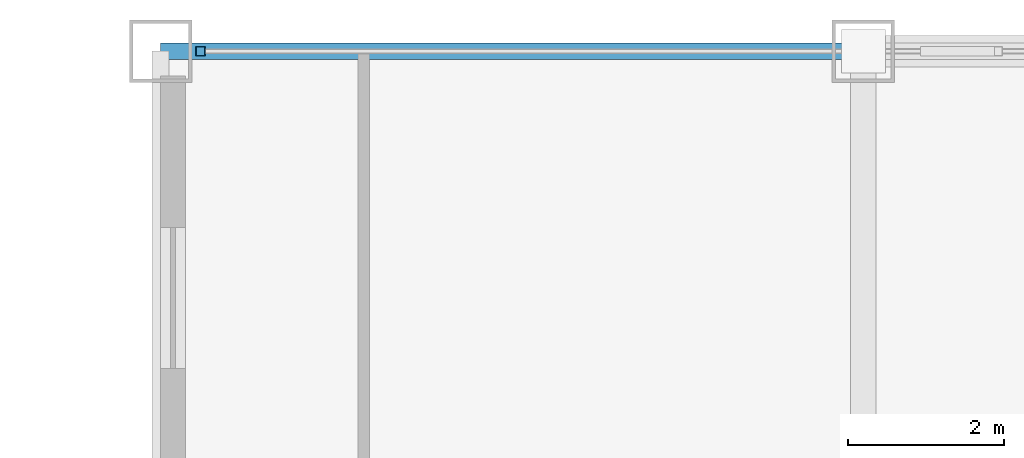
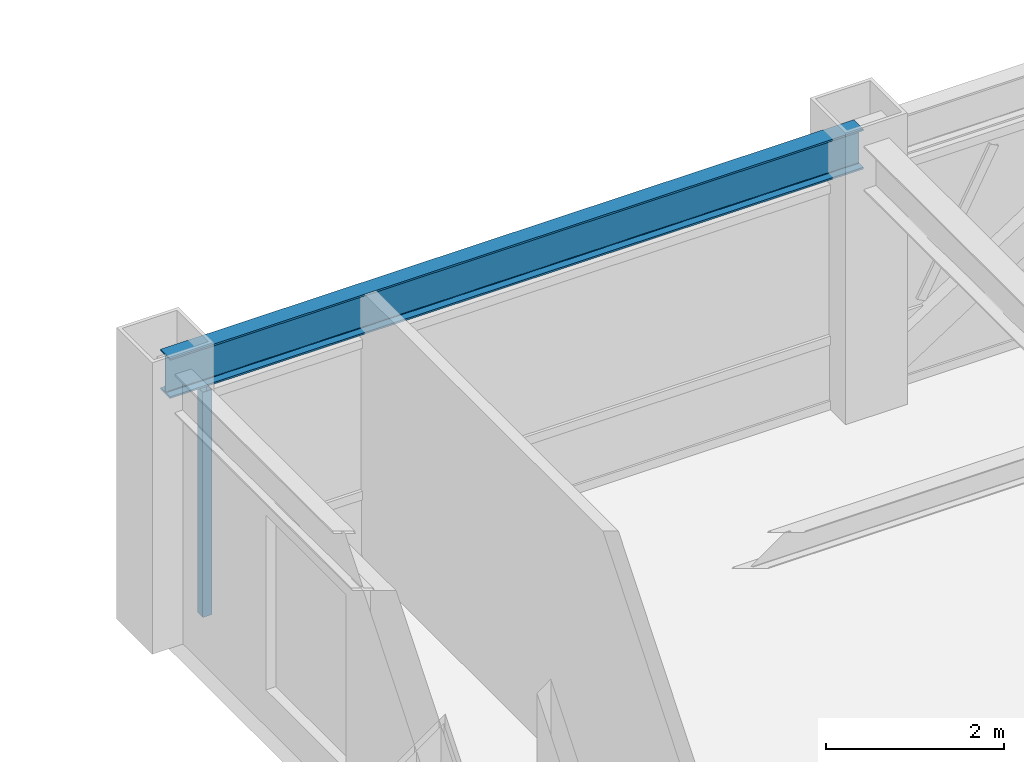
# One storey, part 16 of 28: 1 beam, 1 member, 1 element without a shape of its own.
"""IFC4 building model written with IfcOpenShell, lengths in metres."""

from ifc_helpers import new_model, si_unit, direction, frame, origin, origin_2d, place, context, subcontext, project, spatial, hollow_rectangle, i_section, extrude, source, transform, mapped, material, material_profile, profile_set, type_object, element, aggregate, save


model = new_model("IFC4")

# Units and contexts
model_context = context("Model", 3, precision=1e-05, world=origin(), true_north=direction((0.0, 1.0)))
body_context = subcontext(model_context, "Body", "Model", "MODEL_VIEW")
ifc_project = project(units=[si_unit("LENGTHUNIT", "METRE"), si_unit("AREAUNIT", "SQUARE_METRE"), si_unit("VOLUMEUNIT", "CUBIC_METRE"), si_unit("PLANEANGLEUNIT", "RADIAN"), si_unit("MASSUNIT", "GRAM", prefix="KILO")], contexts=[model_context])

# Site, building, storey
site_placement = place(None, origin())
site = spatial("IfcSite", under=ifc_project, at=site_placement, CompositionType="ELEMENT")
building_placement = place(site_placement, origin())
building = spatial("IfcBuilding", under=site, at=building_placement, Name="Khorayat Bourse Tower", CompositionType="ELEMENT")
storey_placement = place(building_placement, frame((0.0, 0.0, 334.300048828125)))
storey = spatial("IfcBuildingStorey", under=building, at=storey_placement, Name="L79", CompositionType="ELEMENT", Elevation=334.300048828125)

# Beam
ifc_material_1 = material(Name="Steel ASTM A992 Grade 50", Category="steel")
ifc_material_profile_1 = material_profile(ifc_material_1, i_section(OverallWidth=0.214111328125, OverallDepth=0.549072265625, WebThickness=0.0146484375, FlangeThickness=0.023681640625, FilletRadius=0.013916015625, at=origin_2d()), Name="W530X138")
ifc_profile_set_1 = profile_set([ifc_material_profile_1], Name="Steel ASTM A992 Grade 50")
beam_type = type_object("IfcBeamType", Name="BM-SPAN-530", PredefinedType="SPANDREL", material=ifc_profile_set_1)
shared_shape_1 = source(origin(), body_context, "Body", "SweptSolid", [
    extrude(i_section(OverallWidth=0.214111328125, OverallDepth=0.549072265625, WebThickness=0.0146484375, FlangeThickness=0.023681640625, FilletRadius=0.013916015625, at=origin_2d()), origin(), (0.0, 0.0, 1.0), 9.0),
])
beam_placement = place(storey_placement, frame((-20.0, 26.0, 3.46533203125), z_axis=(1.0, 0.0, 0.0), x_axis=(0.0, 1.0, 0.0)))
element("IfcBeam", 1, at=beam_placement, inside=storey, type_object=beam_type, Name="L79 BM-SPAN-530 BM-L79-SPN-045", PredefinedType="SPANDREL", context=body_context, shape_type="MappedRepresentation", body=[
    mapped(shared_shape_1, transform((0.0, 0.0, 0.0), scale=1.0)),
])

# Curtain wall, member
ifc_material_2 = material(Name="Aluminium EN AW-6063 T6", Category="aluminium")
curtain_wall_type = type_object("IfcCurtainWallType", Name="CW-SYS-04", PredefinedType="NOTDEFINED", material=ifc_material_2)
curtain_wall_placement = place(storey_placement, origin())
curtain_wall = element("IfcCurtainWall", 2, at=curtain_wall_placement, inside=storey, type_object=curtain_wall_type, Name="L79 Curtain Wall CW-L79-N1", PredefinedType="NOTDEFINED")
ifc_material_profile_2 = material_profile(ifc_material_2, hollow_rectangle(XDim=0.1201171875, YDim=0.1201171875, WallThickness=0.0048828125, at=origin_2d()), Name="ALU 120x120x5")
ifc_profile_set_2 = profile_set([ifc_material_profile_2], Name="Aluminium EN AW-6063 T6")
member_type = type_object("IfcMemberType", Name="CWM-VERT-120", PredefinedType="MULLION", material=ifc_profile_set_2)
shared_shape_2 = source(origin(), body_context, "Body", "SweptSolid", [
    extrude(hollow_rectangle(XDim=0.1201171875, YDim=0.1201171875, WallThickness=0.0048828125, at=origin_2d()), origin(), (0.0, 0.0, 1.0), 3.08984375),
])
member_placement = place(storey_placement, frame((-19.489990234375, 26.0, 0.0), z_axis=(0.0, 0.0, 1.0), x_axis=(0.0, 1.0, 0.0)))
member = element("IfcMember", 3, at=member_placement, type_object=member_type, Name="CW-L79-N1 Vertical Mullion 1", PredefinedType="MULLION", context=body_context, shape_type="MappedRepresentation", body=[
    mapped(shared_shape_2, transform((0.0, 0.0, 0.0), scale=1.0)),
])
aggregate(curtain_wall, [member])

save(model, "model.ifc")
